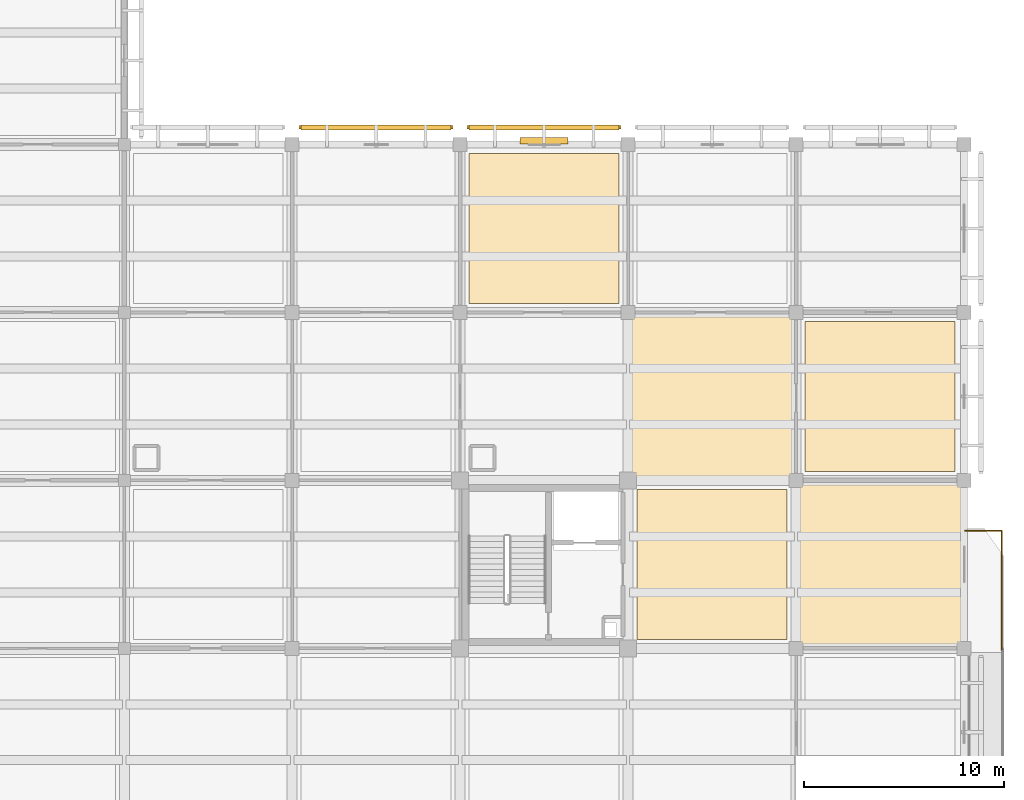
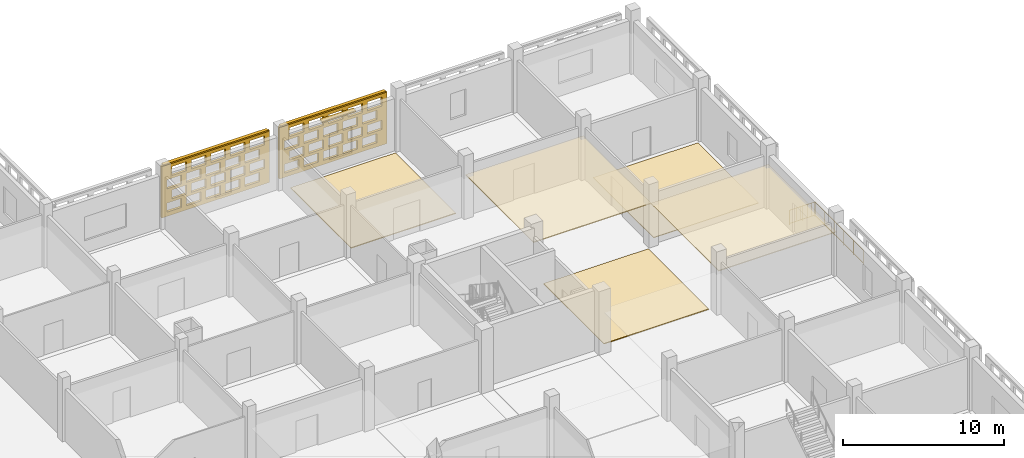
# One storey, part 127 of 129: 7 coverings, 3 shading devices, 2 railings, 40 openings.
"""IFC4 building model written with IfcOpenShell, lengths in metres."""

from ifc_helpers import new_model, si_unit, direction, frame, frame_2d, origin, origin_2d, place, context, subcontext, project, spatial, rectangle, circle, extrude, material, layer, layer_set, type_object, element, save


model = new_model("IFC4")

# Units and contexts
model_context = context("Model", 3, precision=1e-05, world=origin(), true_north=direction((0.0, 1.0)))
body_context = subcontext(model_context, "Body", "Model", "MODEL_VIEW")
ifc_project = project(units=[si_unit("LENGTHUNIT", "METRE"), si_unit("AREAUNIT", "SQUARE_METRE"), si_unit("VOLUMEUNIT", "CUBIC_METRE"), si_unit("PLANEANGLEUNIT", "RADIAN"), si_unit("MASSUNIT", "GRAM", prefix="KILO")], contexts=[model_context])

# Site, building, storey
site_placement = place(None, origin())
site = spatial("IfcSite", under=ifc_project, at=site_placement, CompositionType="ELEMENT")
building_placement = place(site_placement, origin())
building = spatial("IfcBuilding", under=site, at=building_placement, Name="Varnapada Polytechnic", CompositionType="ELEMENT")
storey_placement = place(building_placement, origin())
storey = spatial("IfcBuildingStorey", under=building, at=storey_placement, Name="L00", CompositionType="ELEMENT", Elevation=0.0)

# Coverings
ifc_material_1 = material(Name="Anti-Static Raised Laboratory Flooring")
ifc_layer_1 = layer(ifc_material_1, 0.06005859375)
ifc_layer_set_1 = layer_set([ifc_layer_1], Name="Anti-Static Raised Laboratory Flooring")
covering_type_1 = type_object("IfcCoveringType", Name="Floor Finish FLR-02", PredefinedType="FLOORING", material=ifc_layer_set_1)
covering_1_placement = place(storey_placement, frame((155.39990234375, 113.39990234375, 0.0), z_axis=(0.0, 0.0, 1.0), x_axis=(1.0, 0.0, 0.0)))
element("IfcCovering", 1, at=covering_1_placement, inside=storey, type_object=covering_type_1, Name="L00 floor finish panel (19,14)", PredefinedType="FLOORING", context=body_context, shape_type="SweptSolid", body=[
    extrude(rectangle(XDim=7.5, YDim=7.5, at=origin_2d()), origin(), (0.0, 0.0, 1.0), 0.06005859375),
])
ifc_material_2 = material(Name="End-Grain Timber Studio Block Flooring", Category="wood")
ifc_layer_2 = layer(ifc_material_2, 0.054931640625)
ifc_layer_set_2 = layer_set([ifc_layer_2], Name="End-Grain Timber Studio Block Flooring")
covering_type_2 = type_object("IfcCoveringType", Name="Floor Finish FLR-04", PredefinedType="FLOORING", material=ifc_layer_set_2)
covering_2_placement = place(storey_placement, frame((163.800048828125, 96.60009765625, 0.0), z_axis=(0.0, 0.0, 1.0), x_axis=(1.0, 0.0, 0.0)))
element("IfcCovering", 2, at=covering_2_placement, inside=storey, type_object=covering_type_2, Name="L00 floor finish panel (20,12)", PredefinedType="FLOORING", context=body_context, shape_type="SweptSolid", body=[
    extrude(rectangle(XDim=7.5, YDim=7.5, at=origin_2d()), origin(), (0.0, 0.0, 1.0), 0.054931640625),
])
ifc_material_3 = material(Name="Acoustic Rubber Seminar Flooring")
ifc_layer_3 = layer(ifc_material_3, 0.0400390625)
ifc_layer_set_3 = layer_set([ifc_layer_3], Name="Acoustic Rubber Seminar Flooring")
covering_type_3 = type_object("IfcCoveringType", Name="Floor Finish FLR-06", PredefinedType="FLOORING", material=ifc_layer_set_3)
covering_3_placement = place(storey_placement, frame((172.199951171875, 105.0, 0.0), z_axis=(0.0, 0.0, 1.0), x_axis=(1.0, 0.0, 0.0)))
element("IfcCovering", 3, at=covering_3_placement, inside=storey, type_object=covering_type_3, Name="L00 floor finish panel (21,13)", PredefinedType="FLOORING", context=body_context, shape_type="SweptSolid", body=[
    extrude(rectangle(XDim=7.5, YDim=7.5, at=origin_2d()), origin(), (0.0, 0.0, 1.0), 0.0400390625),
])

# Shading device
ifc_material_4 = material(Name="Anodised aluminium", Category="aluminium")
ifc_layer_4 = layer(ifc_material_4, 0.35009765625)
ifc_layer_set_4 = layer_set([ifc_layer_4], Name="Anodised aluminium")
shading_device_type_1 = type_object("IfcShadingDeviceType", Name="Solar Louvre LVR-01", PredefinedType="JALOUSIE", material=ifc_layer_set_4)
shading_device_placement = place(storey_placement, frame((155.39990234375, 117.780029296875, 3.760009765625), z_axis=(0.0, 0.0, 1.0), x_axis=(1.0, 0.0, 0.0)))
element("IfcShadingDevice", 4, at=shading_device_placement, inside=storey, type_object=shading_device_type_1, Name="L00 aluminium sun louvre 94", PredefinedType="JALOUSIE", context=body_context, shape_type="SweptSolid", body=[
    extrude(rectangle(XDim=2.39990234375, YDim=0.340087890625, at=origin_2d()), origin(), (0.0, 0.0, 1.0), 0.1201171875),
])

# Coverings
ifc_material_5 = material(Name="Slatted Merbau Timber Acoustic Ceiling", Category="wood")
ifc_layer_5 = layer(ifc_material_5, 0.054931640625)
ifc_layer_set_5 = layer_set([ifc_layer_5], Name="Slatted Merbau Timber Acoustic Ceiling")
covering_type_4 = type_object("IfcCoveringType", Name="Suspended Ceiling CLG-05", PredefinedType="CEILING", material=ifc_layer_set_5)
covering_4_placement = place(storey_placement, frame((172.199951171875, 96.60009765625, 3.0224609375), z_axis=(0.0, 0.0, 1.0), x_axis=(1.0, 0.0, 0.0)))
element("IfcCovering", 5, at=covering_4_placement, inside=storey, type_object=covering_type_4, Name="L00 suspended acoustic ceiling (21,12)", PredefinedType="CEILING", context=body_context, shape_type="SweptSolid", body=[
    extrude(rectangle(XDim=8.419921875, YDim=8.419921875, at=origin_2d()), origin(), (0.0, 0.0, 1.0), 0.054931640625),
])
ifc_material_6 = material(Name="Deep Acoustic Auditorium Cloud Baffle")
ifc_layer_6 = layer(ifc_material_6, 0.06494140625)
ifc_layer_set_6 = layer_set([ifc_layer_6], Name="Deep Acoustic Auditorium Cloud Baffle")
covering_type_5 = type_object("IfcCoveringType", Name="Suspended Ceiling CLG-07", PredefinedType="CEILING", material=ifc_layer_set_6)
covering_5_placement = place(storey_placement, frame((163.800048828125, 105.0, 3.017578125), z_axis=(0.0, 0.0, 1.0), x_axis=(1.0, 0.0, 0.0)))
element("IfcCovering", 6, at=covering_5_placement, inside=storey, type_object=covering_type_5, Name="L00 suspended acoustic ceiling (20,13)", PredefinedType="CEILING", context=body_context, shape_type="SweptSolid", body=[
    extrude(rectangle(XDim=8.419921875, YDim=8.419921875, at=origin_2d()), origin(), (0.0, 0.0, 1.0), 0.06494140625),
])

# Railings
ifc_material_7 = material(Name="Painted galvanized steel", Category="steel")
railing_type = type_object("IfcRailingType", Name="Terrace Guard Rail GRD-01", PredefinedType="BALUSTRADE", material=ifc_material_7)
railing_1_placement = place(storey_placement, frame((178.280029296875, 92.320068359375, 0.0)))
element("IfcRailing", 7, at=railing_1_placement, inside=storey, type_object=railing_type, Name="L00 civic square colonnade edge guard GRD-LN1-E", PredefinedType="BALUSTRADE", context=body_context, shape_type="SweptSolid", body=[
    extrude(circle(Radius=0.02392578125, at=origin_2d()), frame((0.0, 0.0, 1.09619140625), z_axis=(0.0, 1.0, 0.0), x_axis=(-1.0, 0.0, 0.0)), (0.0, 0.0, 1.0), 5.9599609375),
    extrude(circle(Radius=0.02392578125, at=origin_2d()), frame((0.0, 0.0, 0.10009765625), z_axis=(0.0, 1.0, 0.0), x_axis=(-1.0, 0.0, 0.0)), (0.0, 0.0, 1.0), 5.9599609375),
    extrude(circle(Radius=0.02099609375, at=origin_2d()), origin(), (0.0, 0.0, 1.0), 1.072021484375),
    extrude(circle(Radius=0.02099609375, at=origin_2d()), frame((0.0, 1.19189453125, 0.0)), (0.0, 0.0, 1.0), 1.072021484375),
    extrude(circle(Radius=0.02099609375, at=origin_2d()), frame((0.0, 2.384033203125, 0.0)), (0.0, 0.0, 1.0), 1.072021484375),
    extrude(circle(Radius=0.02099609375, at=origin_2d()), frame((0.0, 3.575927734375, 0.0)), (0.0, 0.0, 1.0), 1.072021484375),
    extrude(circle(Radius=0.02099609375, at=origin_2d()), frame((0.0, 4.76806640625, 0.0)), (0.0, 0.0, 1.0), 1.072021484375),
    extrude(circle(Radius=0.02099609375, at=origin_2d()), frame((0.0, 5.9599609375, 0.0)), (0.0, 0.0, 1.0), 1.072021484375),
    extrude(circle(Radius=0.010009765625, at=origin_2d()), frame((0.0, 0.248291015625, 0.10009765625)), (0.0, 0.0, 1.0), 0.971923828125),
    extrude(circle(Radius=0.010009765625, at=origin_2d()), frame((0.0, 0.49658203125, 0.10009765625)), (0.0, 0.0, 1.0), 0.971923828125),
    extrude(circle(Radius=0.010009765625, at=origin_2d()), frame((0.0, 0.7451171875, 0.10009765625)), (0.0, 0.0, 1.0), 0.971923828125),
    extrude(circle(Radius=0.010009765625, at=origin_2d()), frame((0.0, 0.993408203125, 0.10009765625)), (0.0, 0.0, 1.0), 0.971923828125),
    extrude(circle(Radius=0.010009765625, at=origin_2d()), frame((0.0, 1.24169921875, 0.10009765625)), (0.0, 0.0, 1.0), 0.971923828125),
    extrude(circle(Radius=0.010009765625, at=origin_2d()), frame((0.0, 1.489990234375, 0.10009765625)), (0.0, 0.0, 1.0), 0.971923828125),
    extrude(circle(Radius=0.010009765625, at=origin_2d()), frame((0.0, 1.73828125, 0.10009765625)), (0.0, 0.0, 1.0), 0.971923828125),
    extrude(circle(Radius=0.010009765625, at=origin_2d()), frame((0.0, 1.986572265625, 0.10009765625)), (0.0, 0.0, 1.0), 0.971923828125),
    extrude(circle(Radius=0.010009765625, at=origin_2d()), frame((0.0, 2.23486328125, 0.10009765625)), (0.0, 0.0, 1.0), 0.971923828125),
    extrude(circle(Radius=0.010009765625, at=origin_2d()), frame((0.0, 2.4833984375, 0.10009765625)), (0.0, 0.0, 1.0), 0.971923828125),
    extrude(circle(Radius=0.010009765625, at=origin_2d()), frame((0.0, 2.731689453125, 0.10009765625)), (0.0, 0.0, 1.0), 0.971923828125),
    extrude(circle(Radius=0.010009765625, at=origin_2d()), frame((0.0, 2.97998046875, 0.10009765625)), (0.0, 0.0, 1.0), 0.971923828125),
    extrude(circle(Radius=0.010009765625, at=origin_2d()), frame((0.0, 3.228271484375, 0.10009765625)), (0.0, 0.0, 1.0), 0.971923828125),
    extrude(circle(Radius=0.010009765625, at=origin_2d()), frame((0.0, 3.4765625, 0.10009765625)), (0.0, 0.0, 1.0), 0.971923828125),
    extrude(circle(Radius=0.010009765625, at=origin_2d()), frame((0.0, 3.72509765625, 0.10009765625)), (0.0, 0.0, 1.0), 0.971923828125),
    extrude(circle(Radius=0.010009765625, at=origin_2d()), frame((0.0, 3.973388671875, 0.10009765625)), (0.0, 0.0, 1.0), 0.971923828125),
    extrude(circle(Radius=0.010009765625, at=origin_2d()), frame((0.0, 4.2216796875, 0.10009765625)), (0.0, 0.0, 1.0), 0.971923828125),
    extrude(circle(Radius=0.010009765625, at=origin_2d()), frame((0.0, 4.469970703125, 0.10009765625)), (0.0, 0.0, 1.0), 0.971923828125),
    extrude(circle(Radius=0.010009765625, at=origin_2d()), frame((0.0, 4.71826171875, 0.10009765625)), (0.0, 0.0, 1.0), 0.971923828125),
    extrude(circle(Radius=0.010009765625, at=origin_2d()), frame((0.0, 4.966552734375, 0.10009765625)), (0.0, 0.0, 1.0), 0.971923828125),
    extrude(circle(Radius=0.010009765625, at=origin_2d()), frame((0.0, 5.21484375, 0.10009765625)), (0.0, 0.0, 1.0), 0.971923828125),
    extrude(circle(Radius=0.010009765625, at=origin_2d()), frame((0.0, 5.46337890625, 0.10009765625)), (0.0, 0.0, 1.0), 0.971923828125),
    extrude(circle(Radius=0.010009765625, at=origin_2d()), frame((0.0, 5.711669921875, 0.10009765625)), (0.0, 0.0, 1.0), 0.971923828125),
])
railing_2_placement = place(storey_placement, frame((176.449951171875, 98.280029296875, 0.0)))
element("IfcRailing", 8, at=railing_2_placement, inside=storey, type_object=railing_type, Name="L00 civic square colonnade edge guard GRD-LN1-N", PredefinedType="BALUSTRADE", context=body_context, shape_type="SweptSolid", body=[
    extrude(circle(Radius=0.02392578125, at=origin_2d()), frame((0.0, 0.0, 1.09619140625), z_axis=(1.0, 0.0, 0.0), x_axis=(0.0, 1.0, 0.0)), (0.0, 0.0, 1.0), 1.830078125),
    extrude(circle(Radius=0.02392578125, at=origin_2d()), frame((0.0, 0.0, 0.10009765625), z_axis=(1.0, 0.0, 0.0), x_axis=(0.0, 1.0, 0.0)), (0.0, 0.0, 1.0), 1.830078125),
    extrude(circle(Radius=0.02099609375, at=origin_2d()), origin(), (0.0, 0.0, 1.0), 1.072021484375),
    extrude(circle(Radius=0.02099609375, at=origin_2d()), frame((0.9150390625, 0.0, 0.0)), (0.0, 0.0, 1.0), 1.072021484375),
    extrude(circle(Radius=0.02099609375, at=origin_2d()), frame((1.830078125, 0.0, 0.0)), (0.0, 0.0, 1.0), 1.072021484375),
    extrude(circle(Radius=0.010009765625, at=origin_2d()), frame((0.261474609375, 0.0, 0.10009765625)), (0.0, 0.0, 1.0), 0.971923828125),
    extrude(circle(Radius=0.010009765625, at=origin_2d()), frame((0.52294921875, 0.0, 0.10009765625)), (0.0, 0.0, 1.0), 0.971923828125),
    extrude(circle(Radius=0.010009765625, at=origin_2d()), frame((0.784423828125, 0.0, 0.10009765625)), (0.0, 0.0, 1.0), 0.971923828125),
    extrude(circle(Radius=0.010009765625, at=origin_2d()), frame((1.045654296875, 0.0, 0.10009765625)), (0.0, 0.0, 1.0), 0.971923828125),
    extrude(circle(Radius=0.010009765625, at=origin_2d()), frame((1.30712890625, 0.0, 0.10009765625)), (0.0, 0.0, 1.0), 0.971923828125),
    extrude(circle(Radius=0.010009765625, at=origin_2d()), frame((1.568603515625, 0.0, 0.10009765625)), (0.0, 0.0, 1.0), 0.971923828125),
])

# Covering, openings
ifc_material_8 = material(Name="Earth-toned architectural terracotta screen block", Category="masonry")
ifc_layer_7 = layer(ifc_material_8, 0.1201171875)
ifc_layer_set_7 = layer_set([ifc_layer_7], Name="Earth-toned architectural terracotta screen block")
covering_type_6 = type_object("IfcCoveringType", Name="Terracotta Screen Cladding CLD-01", PredefinedType="CLADDING", material=ifc_layer_set_7)
covering_6_placement = place(storey_placement, frame((143.14990234375, 118.449951171875, 0.0), z_axis=(0.0, 0.0, 1.0), x_axis=(1.0, 0.0, 0.0)))
covering_6 = element("IfcCovering", 9, at=covering_6_placement, inside=storey, type_object=covering_type_6, Name="L00 perforated terracotta block screen (92)", PredefinedType="CLADDING", context=body_context, shape_type="SweptSolid", body=[
    extrude(rectangle(XDim=7.7001953125, YDim=0.179931640625, at=frame_2d((3.85009765625, 0.0))), origin(), (0.0, 0.0, 1.0), 3.919921875),
])
opening_1_placement = place(covering_6_placement, frame((0.35009765625, 0.0, 0.313720703125)))
element("IfcOpeningElement", 10, at=opening_1_placement, cuts=covering_6, Name="Screen perforation TBS-L00-091.1", PredefinedType="OPENING", context=body_context, shape_type="SweptSolid", body=[
    extrude(rectangle(XDim=1.0400390625, YDim=0.679931640625, at=frame_2d((0.52001953125, 0.33984375))), frame((0.0, 0.099853515625, 0.0), z_axis=(0.0, -1.0, 0.0), x_axis=(1.0, 0.0, 0.0)), (0.0, 0.0, 1.0), 0.199951171875),
])
opening_2_placement = place(covering_6_placement, frame((1.75, 0.0, 0.313720703125)))
element("IfcOpeningElement", 11, at=opening_2_placement, cuts=covering_6, Name="Screen perforation TBS-L00-091.2", PredefinedType="OPENING", context=body_context, shape_type="SweptSolid", body=[
    extrude(rectangle(XDim=1.0400390625, YDim=0.679931640625, at=frame_2d((0.52001953125, 0.33984375))), frame((0.0, 0.099853515625, 0.0), z_axis=(0.0, -1.0, 0.0), x_axis=(1.0, 0.0, 0.0)), (0.0, 0.0, 1.0), 0.199951171875),
])
opening_3_placement = place(covering_6_placement, frame((3.14990234375, 0.0, 0.313720703125)))
element("IfcOpeningElement", 12, at=opening_3_placement, cuts=covering_6, Name="Screen perforation TBS-L00-091.3", PredefinedType="OPENING", context=body_context, shape_type="SweptSolid", body=[
    extrude(rectangle(XDim=1.0400390625, YDim=0.679931640625, at=frame_2d((0.52001953125, 0.33984375))), frame((0.0, 0.099853515625, 0.0), z_axis=(0.0, -1.0, 0.0), x_axis=(1.0, 0.0, 0.0)), (0.0, 0.0, 1.0), 0.199951171875),
])
opening_4_placement = place(covering_6_placement, frame((4.550048828125, 0.0, 0.313720703125)))
element("IfcOpeningElement", 13, at=opening_4_placement, cuts=covering_6, Name="Screen perforation TBS-L00-091.4", PredefinedType="OPENING", context=body_context, shape_type="SweptSolid", body=[
    extrude(rectangle(XDim=1.0400390625, YDim=0.679931640625, at=frame_2d((0.52001953125, 0.33984375))), frame((0.0, 0.099853515625, 0.0), z_axis=(0.0, -1.0, 0.0), x_axis=(1.0, 0.0, 0.0)), (0.0, 0.0, 1.0), 0.199951171875),
])
opening_5_placement = place(covering_6_placement, frame((5.949951171875, 0.0, 0.313720703125)))
element("IfcOpeningElement", 14, at=opening_5_placement, cuts=covering_6, Name="Screen perforation TBS-L00-091.5", PredefinedType="OPENING", context=body_context, shape_type="SweptSolid", body=[
    extrude(rectangle(XDim=1.0400390625, YDim=0.679931640625, at=frame_2d((0.52001953125, 0.33984375))), frame((0.0, 0.099853515625, 0.0), z_axis=(0.0, -1.0, 0.0), x_axis=(1.0, 0.0, 0.0)), (0.0, 0.0, 1.0), 0.199951171875),
])
opening_6_placement = place(covering_6_placement, frame((0.7099609375, 0.0, 1.195556640625)))
element("IfcOpeningElement", 15, at=opening_6_placement, cuts=covering_6, Name="Screen perforation TBS-L00-091.6", PredefinedType="OPENING", context=body_context, shape_type="SweptSolid", body=[
    extrude(rectangle(XDim=1.0400390625, YDim=0.679931640625, at=frame_2d((0.52001953125, 0.33984375))), frame((0.0, 0.099853515625, 0.0), z_axis=(0.0, -1.0, 0.0), x_axis=(1.0, 0.0, 0.0)), (0.0, 0.0, 1.0), 0.199951171875),
])
opening_7_placement = place(covering_6_placement, frame((2.110107421875, 0.0, 1.195556640625)))
element("IfcOpeningElement", 16, at=opening_7_placement, cuts=covering_6, Name="Screen perforation TBS-L00-091.7", PredefinedType="OPENING", context=body_context, shape_type="SweptSolid", body=[
    extrude(rectangle(XDim=1.0400390625, YDim=0.679931640625, at=frame_2d((0.52001953125, 0.33984375))), frame((0.0, 0.099853515625, 0.0), z_axis=(0.0, -1.0, 0.0), x_axis=(1.0, 0.0, 0.0)), (0.0, 0.0, 1.0), 0.199951171875),
])
opening_8_placement = place(covering_6_placement, frame((3.510009765625, 0.0, 1.195556640625)))
element("IfcOpeningElement", 17, at=opening_8_placement, cuts=covering_6, Name="Screen perforation TBS-L00-091.8", PredefinedType="OPENING", context=body_context, shape_type="SweptSolid", body=[
    extrude(rectangle(XDim=1.0400390625, YDim=0.679931640625, at=frame_2d((0.52001953125, 0.33984375))), frame((0.0, 0.099853515625, 0.0), z_axis=(0.0, -1.0, 0.0), x_axis=(1.0, 0.0, 0.0)), (0.0, 0.0, 1.0), 0.199951171875),
])
opening_9_placement = place(covering_6_placement, frame((4.909912109375, 0.0, 1.195556640625)))
element("IfcOpeningElement", 18, at=opening_9_placement, cuts=covering_6, Name="Screen perforation TBS-L00-091.9", PredefinedType="OPENING", context=body_context, shape_type="SweptSolid", body=[
    extrude(rectangle(XDim=1.0400390625, YDim=0.679931640625, at=frame_2d((0.52001953125, 0.33984375))), frame((0.0, 0.099853515625, 0.0), z_axis=(0.0, -1.0, 0.0), x_axis=(1.0, 0.0, 0.0)), (0.0, 0.0, 1.0), 0.199951171875),
])
opening_10_placement = place(covering_6_placement, frame((6.31005859375, 0.0, 1.195556640625)))
element("IfcOpeningElement", 19, at=opening_10_placement, cuts=covering_6, Name="Screen perforation TBS-L00-091.10", PredefinedType="OPENING", context=body_context, shape_type="SweptSolid", body=[
    extrude(rectangle(XDim=1.0400390625, YDim=0.679931640625, at=frame_2d((0.52001953125, 0.33984375))), frame((0.0, 0.099853515625, 0.0), z_axis=(0.0, -1.0, 0.0), x_axis=(1.0, 0.0, 0.0)), (0.0, 0.0, 1.0), 0.199951171875),
])
opening_11_placement = place(covering_6_placement, frame((0.35009765625, 0.0, 2.07763671875)))
element("IfcOpeningElement", 20, at=opening_11_placement, cuts=covering_6, Name="Screen perforation TBS-L00-091.11", PredefinedType="OPENING", context=body_context, shape_type="SweptSolid", body=[
    extrude(rectangle(XDim=1.0400390625, YDim=0.679931640625, at=frame_2d((0.52001953125, 0.33984375))), frame((0.0, 0.099853515625, 0.0), z_axis=(0.0, -1.0, 0.0), x_axis=(1.0, 0.0, 0.0)), (0.0, 0.0, 1.0), 0.199951171875),
])
opening_12_placement = place(covering_6_placement, frame((1.75, 0.0, 2.07763671875)))
element("IfcOpeningElement", 21, at=opening_12_placement, cuts=covering_6, Name="Screen perforation TBS-L00-091.12", PredefinedType="OPENING", context=body_context, shape_type="SweptSolid", body=[
    extrude(rectangle(XDim=1.0400390625, YDim=0.679931640625, at=frame_2d((0.52001953125, 0.33984375))), frame((0.0, 0.099853515625, 0.0), z_axis=(0.0, -1.0, 0.0), x_axis=(1.0, 0.0, 0.0)), (0.0, 0.0, 1.0), 0.199951171875),
])
opening_13_placement = place(covering_6_placement, frame((3.14990234375, 0.0, 2.07763671875)))
element("IfcOpeningElement", 22, at=opening_13_placement, cuts=covering_6, Name="Screen perforation TBS-L00-091.13", PredefinedType="OPENING", context=body_context, shape_type="SweptSolid", body=[
    extrude(rectangle(XDim=1.0400390625, YDim=0.679931640625, at=frame_2d((0.52001953125, 0.33984375))), frame((0.0, 0.099853515625, 0.0), z_axis=(0.0, -1.0, 0.0), x_axis=(1.0, 0.0, 0.0)), (0.0, 0.0, 1.0), 0.199951171875),
])
opening_14_placement = place(covering_6_placement, frame((4.550048828125, 0.0, 2.07763671875)))
element("IfcOpeningElement", 23, at=opening_14_placement, cuts=covering_6, Name="Screen perforation TBS-L00-091.14", PredefinedType="OPENING", context=body_context, shape_type="SweptSolid", body=[
    extrude(rectangle(XDim=1.0400390625, YDim=0.679931640625, at=frame_2d((0.52001953125, 0.33984375))), frame((0.0, 0.099853515625, 0.0), z_axis=(0.0, -1.0, 0.0), x_axis=(1.0, 0.0, 0.0)), (0.0, 0.0, 1.0), 0.199951171875),
])
opening_15_placement = place(covering_6_placement, frame((5.949951171875, 0.0, 2.07763671875)))
element("IfcOpeningElement", 24, at=opening_15_placement, cuts=covering_6, Name="Screen perforation TBS-L00-091.15", PredefinedType="OPENING", context=body_context, shape_type="SweptSolid", body=[
    extrude(rectangle(XDim=1.0400390625, YDim=0.679931640625, at=frame_2d((0.52001953125, 0.33984375))), frame((0.0, 0.099853515625, 0.0), z_axis=(0.0, -1.0, 0.0), x_axis=(1.0, 0.0, 0.0)), (0.0, 0.0, 1.0), 0.199951171875),
])
opening_16_placement = place(covering_6_placement, frame((0.7099609375, 0.0, 2.959716796875)))
element("IfcOpeningElement", 25, at=opening_16_placement, cuts=covering_6, Name="Screen perforation TBS-L00-091.16", PredefinedType="OPENING", context=body_context, shape_type="SweptSolid", body=[
    extrude(rectangle(XDim=1.0400390625, YDim=0.679931640625, at=frame_2d((0.52001953125, 0.33984375))), frame((0.0, 0.099853515625, 0.0), z_axis=(0.0, -1.0, 0.0), x_axis=(1.0, 0.0, 0.0)), (0.0, 0.0, 1.0), 0.199951171875),
])
opening_17_placement = place(covering_6_placement, frame((2.110107421875, 0.0, 2.959716796875)))
element("IfcOpeningElement", 26, at=opening_17_placement, cuts=covering_6, Name="Screen perforation TBS-L00-091.17", PredefinedType="OPENING", context=body_context, shape_type="SweptSolid", body=[
    extrude(rectangle(XDim=1.0400390625, YDim=0.679931640625, at=frame_2d((0.52001953125, 0.33984375))), frame((0.0, 0.099853515625, 0.0), z_axis=(0.0, -1.0, 0.0), x_axis=(1.0, 0.0, 0.0)), (0.0, 0.0, 1.0), 0.199951171875),
])
opening_18_placement = place(covering_6_placement, frame((3.510009765625, 0.0, 2.959716796875)))
element("IfcOpeningElement", 27, at=opening_18_placement, cuts=covering_6, Name="Screen perforation TBS-L00-091.18", PredefinedType="OPENING", context=body_context, shape_type="SweptSolid", body=[
    extrude(rectangle(XDim=1.0400390625, YDim=0.679931640625, at=frame_2d((0.52001953125, 0.33984375))), frame((0.0, 0.099853515625, 0.0), z_axis=(0.0, -1.0, 0.0), x_axis=(1.0, 0.0, 0.0)), (0.0, 0.0, 1.0), 0.199951171875),
])
opening_19_placement = place(covering_6_placement, frame((4.909912109375, 0.0, 2.959716796875)))
element("IfcOpeningElement", 28, at=opening_19_placement, cuts=covering_6, Name="Screen perforation TBS-L00-091.19", PredefinedType="OPENING", context=body_context, shape_type="SweptSolid", body=[
    extrude(rectangle(XDim=1.0400390625, YDim=0.679931640625, at=frame_2d((0.52001953125, 0.33984375))), frame((0.0, 0.099853515625, 0.0), z_axis=(0.0, -1.0, 0.0), x_axis=(1.0, 0.0, 0.0)), (0.0, 0.0, 1.0), 0.199951171875),
])
opening_20_placement = place(covering_6_placement, frame((6.31005859375, 0.0, 2.959716796875)))
element("IfcOpeningElement", 29, at=opening_20_placement, cuts=covering_6, Name="Screen perforation TBS-L00-091.20", PredefinedType="OPENING", context=body_context, shape_type="SweptSolid", body=[
    extrude(rectangle(XDim=1.0400390625, YDim=0.679931640625, at=frame_2d((0.52001953125, 0.33984375))), frame((0.0, 0.099853515625, 0.0), z_axis=(0.0, -1.0, 0.0), x_axis=(1.0, 0.0, 0.0)), (0.0, 0.0, 1.0), 0.199951171875),
])

covering_7_placement = place(storey_placement, frame((151.550048828125, 118.449951171875, 0.0), z_axis=(0.0, 0.0, 1.0), x_axis=(1.0, 0.0, 0.0)))
covering_7 = element("IfcCovering", 30, at=covering_7_placement, inside=storey, type_object=covering_type_6, Name="L00 perforated terracotta block screen (94)", PredefinedType="CLADDING", context=body_context, shape_type="SweptSolid", body=[
    extrude(rectangle(XDim=7.699951171875, YDim=0.179931640625, at=frame_2d((3.85009765625, 0.0))), origin(), (0.0, 0.0, 1.0), 3.919921875),
])
opening_21_placement = place(covering_7_placement, frame((0.35009765625, 0.0, 0.313720703125)))
element("IfcOpeningElement", 31, at=opening_21_placement, cuts=covering_7, Name="Screen perforation TBS-L00-093.1", PredefinedType="OPENING", context=body_context, shape_type="SweptSolid", body=[
    extrude(rectangle(XDim=1.0400390625, YDim=0.679931640625, at=frame_2d((0.52001953125, 0.33984375))), frame((0.0, 0.099853515625, 0.0), z_axis=(0.0, -1.0, 0.0), x_axis=(1.0, 0.0, 0.0)), (0.0, 0.0, 1.0), 0.199951171875),
])
opening_22_placement = place(covering_7_placement, frame((1.75, 0.0, 0.313720703125)))
element("IfcOpeningElement", 32, at=opening_22_placement, cuts=covering_7, Name="Screen perforation TBS-L00-093.2", PredefinedType="OPENING", context=body_context, shape_type="SweptSolid", body=[
    extrude(rectangle(XDim=1.0400390625, YDim=0.679931640625, at=frame_2d((0.52001953125, 0.33984375))), frame((0.0, 0.099853515625, 0.0), z_axis=(0.0, -1.0, 0.0), x_axis=(1.0, 0.0, 0.0)), (0.0, 0.0, 1.0), 0.199951171875),
])
opening_23_placement = place(covering_7_placement, frame((3.14990234375, 0.0, 0.313720703125)))
element("IfcOpeningElement", 33, at=opening_23_placement, cuts=covering_7, Name="Screen perforation TBS-L00-093.3", PredefinedType="OPENING", context=body_context, shape_type="SweptSolid", body=[
    extrude(rectangle(XDim=1.0400390625, YDim=0.679931640625, at=frame_2d((0.52001953125, 0.33984375))), frame((0.0, 0.099853515625, 0.0), z_axis=(0.0, -1.0, 0.0), x_axis=(1.0, 0.0, 0.0)), (0.0, 0.0, 1.0), 0.199951171875),
])
opening_24_placement = place(covering_7_placement, frame((4.550048828125, 0.0, 0.313720703125)))
element("IfcOpeningElement", 34, at=opening_24_placement, cuts=covering_7, Name="Screen perforation TBS-L00-093.4", PredefinedType="OPENING", context=body_context, shape_type="SweptSolid", body=[
    extrude(rectangle(XDim=1.0400390625, YDim=0.679931640625, at=frame_2d((0.52001953125, 0.33984375))), frame((0.0, 0.099853515625, 0.0), z_axis=(0.0, -1.0, 0.0), x_axis=(1.0, 0.0, 0.0)), (0.0, 0.0, 1.0), 0.199951171875),
])
opening_25_placement = place(covering_7_placement, frame((5.949951171875, 0.0, 0.313720703125)))
element("IfcOpeningElement", 35, at=opening_25_placement, cuts=covering_7, Name="Screen perforation TBS-L00-093.5", PredefinedType="OPENING", context=body_context, shape_type="SweptSolid", body=[
    extrude(rectangle(XDim=1.0400390625, YDim=0.679931640625, at=frame_2d((0.52001953125, 0.33984375))), frame((0.0, 0.099853515625, 0.0), z_axis=(0.0, -1.0, 0.0), x_axis=(1.0, 0.0, 0.0)), (0.0, 0.0, 1.0), 0.199951171875),
])
opening_26_placement = place(covering_7_placement, frame((0.7099609375, 0.0, 1.195556640625)))
element("IfcOpeningElement", 36, at=opening_26_placement, cuts=covering_7, Name="Screen perforation TBS-L00-093.6", PredefinedType="OPENING", context=body_context, shape_type="SweptSolid", body=[
    extrude(rectangle(XDim=1.0400390625, YDim=0.679931640625, at=frame_2d((0.52001953125, 0.33984375))), frame((0.0, 0.099853515625, 0.0), z_axis=(0.0, -1.0, 0.0), x_axis=(1.0, 0.0, 0.0)), (0.0, 0.0, 1.0), 0.199951171875),
])
opening_27_placement = place(covering_7_placement, frame((2.110107421875, 0.0, 1.195556640625)))
element("IfcOpeningElement", 37, at=opening_27_placement, cuts=covering_7, Name="Screen perforation TBS-L00-093.7", PredefinedType="OPENING", context=body_context, shape_type="SweptSolid", body=[
    extrude(rectangle(XDim=1.0400390625, YDim=0.679931640625, at=frame_2d((0.52001953125, 0.33984375))), frame((0.0, 0.099853515625, 0.0), z_axis=(0.0, -1.0, 0.0), x_axis=(1.0, 0.0, 0.0)), (0.0, 0.0, 1.0), 0.199951171875),
])
opening_28_placement = place(covering_7_placement, frame((3.510009765625, 0.0, 1.195556640625)))
element("IfcOpeningElement", 38, at=opening_28_placement, cuts=covering_7, Name="Screen perforation TBS-L00-093.8", PredefinedType="OPENING", context=body_context, shape_type="SweptSolid", body=[
    extrude(rectangle(XDim=1.0400390625, YDim=0.679931640625, at=frame_2d((0.52001953125, 0.33984375))), frame((0.0, 0.099853515625, 0.0), z_axis=(0.0, -1.0, 0.0), x_axis=(1.0, 0.0, 0.0)), (0.0, 0.0, 1.0), 0.199951171875),
])
opening_29_placement = place(covering_7_placement, frame((4.909912109375, 0.0, 1.195556640625)))
element("IfcOpeningElement", 39, at=opening_29_placement, cuts=covering_7, Name="Screen perforation TBS-L00-093.9", PredefinedType="OPENING", context=body_context, shape_type="SweptSolid", body=[
    extrude(rectangle(XDim=1.0400390625, YDim=0.679931640625, at=frame_2d((0.52001953125, 0.33984375))), frame((0.0, 0.099853515625, 0.0), z_axis=(0.0, -1.0, 0.0), x_axis=(1.0, 0.0, 0.0)), (0.0, 0.0, 1.0), 0.199951171875),
])
opening_30_placement = place(covering_7_placement, frame((6.31005859375, 0.0, 1.195556640625)))
element("IfcOpeningElement", 40, at=opening_30_placement, cuts=covering_7, Name="Screen perforation TBS-L00-093.10", PredefinedType="OPENING", context=body_context, shape_type="SweptSolid", body=[
    extrude(rectangle(XDim=1.0400390625, YDim=0.679931640625, at=frame_2d((0.52001953125, 0.33984375))), frame((0.0, 0.099853515625, 0.0), z_axis=(0.0, -1.0, 0.0), x_axis=(1.0, 0.0, 0.0)), (0.0, 0.0, 1.0), 0.199951171875),
])
opening_31_placement = place(covering_7_placement, frame((0.35009765625, 0.0, 2.07763671875)))
element("IfcOpeningElement", 41, at=opening_31_placement, cuts=covering_7, Name="Screen perforation TBS-L00-093.11", PredefinedType="OPENING", context=body_context, shape_type="SweptSolid", body=[
    extrude(rectangle(XDim=1.0400390625, YDim=0.679931640625, at=frame_2d((0.52001953125, 0.33984375))), frame((0.0, 0.099853515625, 0.0), z_axis=(0.0, -1.0, 0.0), x_axis=(1.0, 0.0, 0.0)), (0.0, 0.0, 1.0), 0.199951171875),
])
opening_32_placement = place(covering_7_placement, frame((1.75, 0.0, 2.07763671875)))
element("IfcOpeningElement", 42, at=opening_32_placement, cuts=covering_7, Name="Screen perforation TBS-L00-093.12", PredefinedType="OPENING", context=body_context, shape_type="SweptSolid", body=[
    extrude(rectangle(XDim=1.0400390625, YDim=0.679931640625, at=frame_2d((0.52001953125, 0.33984375))), frame((0.0, 0.099853515625, 0.0), z_axis=(0.0, -1.0, 0.0), x_axis=(1.0, 0.0, 0.0)), (0.0, 0.0, 1.0), 0.199951171875),
])
opening_33_placement = place(covering_7_placement, frame((3.14990234375, 0.0, 2.07763671875)))
element("IfcOpeningElement", 43, at=opening_33_placement, cuts=covering_7, Name="Screen perforation TBS-L00-093.13", PredefinedType="OPENING", context=body_context, shape_type="SweptSolid", body=[
    extrude(rectangle(XDim=1.0400390625, YDim=0.679931640625, at=frame_2d((0.52001953125, 0.33984375))), frame((0.0, 0.099853515625, 0.0), z_axis=(0.0, -1.0, 0.0), x_axis=(1.0, 0.0, 0.0)), (0.0, 0.0, 1.0), 0.199951171875),
])
opening_34_placement = place(covering_7_placement, frame((4.550048828125, 0.0, 2.07763671875)))
element("IfcOpeningElement", 44, at=opening_34_placement, cuts=covering_7, Name="Screen perforation TBS-L00-093.14", PredefinedType="OPENING", context=body_context, shape_type="SweptSolid", body=[
    extrude(rectangle(XDim=1.0400390625, YDim=0.679931640625, at=frame_2d((0.52001953125, 0.33984375))), frame((0.0, 0.099853515625, 0.0), z_axis=(0.0, -1.0, 0.0), x_axis=(1.0, 0.0, 0.0)), (0.0, 0.0, 1.0), 0.199951171875),
])
opening_35_placement = place(covering_7_placement, frame((5.949951171875, 0.0, 2.07763671875)))
element("IfcOpeningElement", 45, at=opening_35_placement, cuts=covering_7, Name="Screen perforation TBS-L00-093.15", PredefinedType="OPENING", context=body_context, shape_type="SweptSolid", body=[
    extrude(rectangle(XDim=1.0400390625, YDim=0.679931640625, at=frame_2d((0.52001953125, 0.33984375))), frame((0.0, 0.099853515625, 0.0), z_axis=(0.0, -1.0, 0.0), x_axis=(1.0, 0.0, 0.0)), (0.0, 0.0, 1.0), 0.199951171875),
])
opening_36_placement = place(covering_7_placement, frame((0.7099609375, 0.0, 2.959716796875)))
element("IfcOpeningElement", 46, at=opening_36_placement, cuts=covering_7, Name="Screen perforation TBS-L00-093.16", PredefinedType="OPENING", context=body_context, shape_type="SweptSolid", body=[
    extrude(rectangle(XDim=1.0400390625, YDim=0.679931640625, at=frame_2d((0.52001953125, 0.33984375))), frame((0.0, 0.099853515625, 0.0), z_axis=(0.0, -1.0, 0.0), x_axis=(1.0, 0.0, 0.0)), (0.0, 0.0, 1.0), 0.199951171875),
])
opening_37_placement = place(covering_7_placement, frame((2.110107421875, 0.0, 2.959716796875)))
element("IfcOpeningElement", 47, at=opening_37_placement, cuts=covering_7, Name="Screen perforation TBS-L00-093.17", PredefinedType="OPENING", context=body_context, shape_type="SweptSolid", body=[
    extrude(rectangle(XDim=1.0400390625, YDim=0.679931640625, at=frame_2d((0.52001953125, 0.33984375))), frame((0.0, 0.099853515625, 0.0), z_axis=(0.0, -1.0, 0.0), x_axis=(1.0, 0.0, 0.0)), (0.0, 0.0, 1.0), 0.199951171875),
])
opening_38_placement = place(covering_7_placement, frame((3.510009765625, 0.0, 2.959716796875)))
element("IfcOpeningElement", 48, at=opening_38_placement, cuts=covering_7, Name="Screen perforation TBS-L00-093.18", PredefinedType="OPENING", context=body_context, shape_type="SweptSolid", body=[
    extrude(rectangle(XDim=1.0400390625, YDim=0.679931640625, at=frame_2d((0.52001953125, 0.33984375))), frame((0.0, 0.099853515625, 0.0), z_axis=(0.0, -1.0, 0.0), x_axis=(1.0, 0.0, 0.0)), (0.0, 0.0, 1.0), 0.199951171875),
])
opening_39_placement = place(covering_7_placement, frame((4.909912109375, 0.0, 2.959716796875)))
element("IfcOpeningElement", 49, at=opening_39_placement, cuts=covering_7, Name="Screen perforation TBS-L00-093.19", PredefinedType="OPENING", context=body_context, shape_type="SweptSolid", body=[
    extrude(rectangle(XDim=1.0400390625, YDim=0.679931640625, at=frame_2d((0.52001953125, 0.33984375))), frame((0.0, 0.099853515625, 0.0), z_axis=(0.0, -1.0, 0.0), x_axis=(1.0, 0.0, 0.0)), (0.0, 0.0, 1.0), 0.199951171875),
])
opening_40_placement = place(covering_7_placement, frame((6.31005859375, 0.0, 2.959716796875)))
element("IfcOpeningElement", 50, at=opening_40_placement, cuts=covering_7, Name="Screen perforation TBS-L00-093.20", PredefinedType="OPENING", context=body_context, shape_type="SweptSolid", body=[
    extrude(rectangle(XDim=1.0400390625, YDim=0.679931640625, at=frame_2d((0.52001953125, 0.33984375))), frame((0.0, 0.099853515625, 0.0), z_axis=(0.0, -1.0, 0.0), x_axis=(1.0, 0.0, 0.0)), (0.0, 0.0, 1.0), 0.199951171875),
])

# Shading devices
ifc_layer_8 = layer(ifc_material_8, 0.179931640625)
ifc_layer_set_8 = layer_set([ifc_layer_8], Name="Earth-toned architectural terracotta screen block")
shading_device_type_2 = type_object("IfcShadingDeviceType", Name="Terracotta Screen SCR-02", PredefinedType="USERDEFINED", material=ifc_layer_set_8)
for number, where, z_axis, x_axis, name in (
    (51, (147.0, 118.449951171875, 3.909912109375), (0.0, 0.0, 1.0), (1.0, 0.0, 0.0), "L00 perforated terracotta screen hood 65"),
    (52, (155.39990234375, 118.449951171875, 3.909912109375), (0.0, 0.0, 1.0), (1.0, 0.0, 0.0), "L00 perforated terracotta screen hood 66"),
):
    element("IfcShadingDevice", number, at=place(storey_placement, frame(where, z_axis=z_axis, x_axis=x_axis)), inside=storey, type_object=shading_device_type_2, Name=name, ObjectType="SCREEN", PredefinedType="USERDEFINED", context=body_context, shape_type="SweptSolid", body=[
        extrude(rectangle(XDim=7.5, YDim=0.239990234375, at=origin_2d()), origin(), (0.0, 0.0, 1.0), 0.10009765625),
    ])

save(model, "model.ifc")
